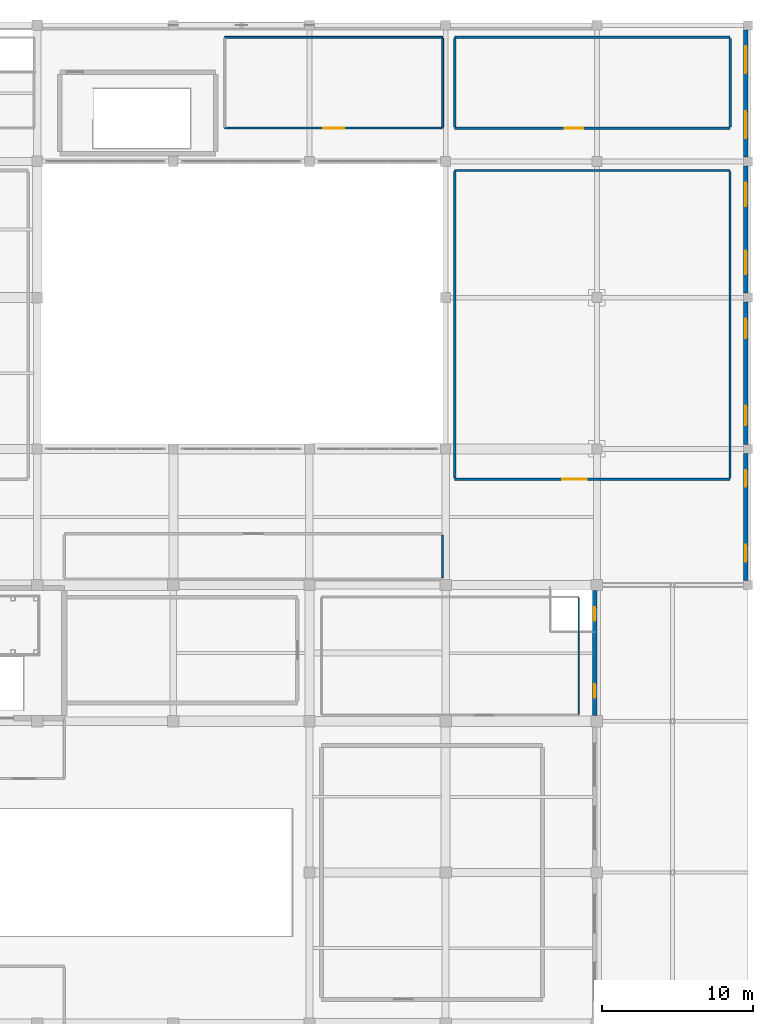
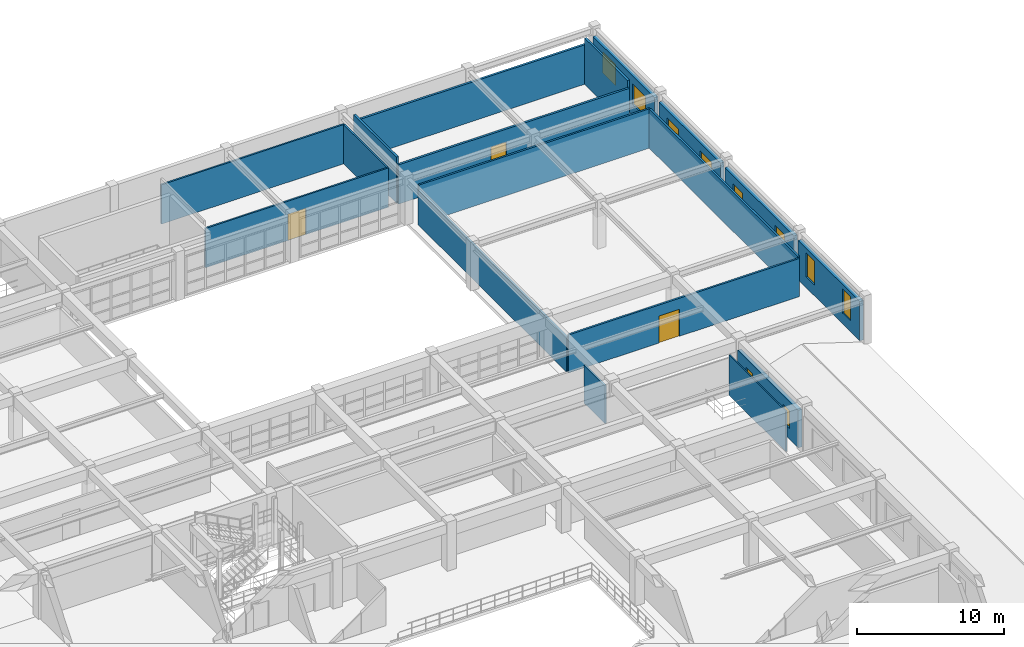
# One storey, part 118 of 130: 18 walls, 10 windows, 3 doors, 13 openings.
"""IFC4 building model written with IfcOpenShell, lengths in metres."""

from ifc_helpers import new_model, si_unit, direction, frame, frame_2d, origin, place, context, subcontext, project, spatial, rectangle, extrude, material, layer, layer_set, type_object, element, fill, save


model = new_model("IFC4")

# Units and contexts
model_context = context("Model", 3, precision=1e-05, world=origin(), true_north=direction((0.0, 1.0)))
body_context = subcontext(model_context, "Body", "Model", "MODEL_VIEW")
ifc_project = project(units=[si_unit("LENGTHUNIT", "METRE"), si_unit("AREAUNIT", "SQUARE_METRE"), si_unit("VOLUMEUNIT", "CUBIC_METRE"), si_unit("PLANEANGLEUNIT", "RADIAN"), si_unit("MASSUNIT", "GRAM", prefix="KILO")], contexts=[model_context])

# Site, building, storey
site_placement = place(None, origin())
site = spatial("IfcSite", under=ifc_project, at=site_placement, CompositionType="ELEMENT")
building_placement = place(site_placement, origin())
building = spatial("IfcBuilding", under=site, at=building_placement, Name="Miravela Opera House", CompositionType="ELEMENT")
storey_placement = place(building_placement, frame((0.0, 0.0, 9.52001953125)))
storey = spatial("IfcBuildingStorey", under=building, at=storey_placement, Name="L02", CompositionType="ELEMENT", Elevation=9.52001953125)

# Wall, openings, windows
ifc_material_1 = material(Name="Insulated cream lime-stuccoed masonry", Category="masonry")
ifc_layer_1 = layer(ifc_material_1, 0.2900390625)
ifc_layer_set_1 = layer_set([ifc_layer_1])
wall_type_1 = type_object("IfcWallType", Name="ARC-EW-STUCCO-290", PredefinedType="STANDARD", material=ifc_layer_set_1)
wall_1_placement = place(storey_placement, frame((153.85009765625, 66.375, 0.0), z_axis=(0.0, 0.0, 1.0), x_axis=(0.0, 1.0, 0.0)))
wall_1 = element("IfcWall", 1, at=wall_1_placement, inside=storey, type_object=wall_type_1, Name="Spanish Colonial Stucco Facade Wall L02-017", PredefinedType="STANDARD", context=body_context, shape_type="SweptSolid", body=[
    extrude(rectangle(XDim=8.25, YDim=0.2900390625, at=frame_2d((4.125, 0.0))), origin(), (0.0, 0.0, 1.0), 3.139892578125),
])
opening_1_placement = place(wall_1_placement, frame((1.175048828125, 0.0, 0.89990234375)))
opening_1 = element("IfcOpeningElement", 2, at=opening_1_placement, cuts=wall_1, Name="Opening W-21", PredefinedType="OPENING", context=body_context, shape_type="SweptSolid", body=[
    extrude(rectangle(XDim=0.89990234375, YDim=1.5, at=frame_2d((0.449951171875, 0.75))), frame((0.0, 0.155029296875, 0.0), z_axis=(0.0, -1.0, 0.0), x_axis=(1.0, 0.0, 0.0)), (0.0, 0.0, 1.0), 0.31005859375),
])
opening_2_placement = place(wall_1_placement, frame((6.25, 0.0, 0.89990234375)))
opening_2 = element("IfcOpeningElement", 3, at=opening_2_placement, cuts=wall_1, Name="Opening W-21", PredefinedType="OPENING", context=body_context, shape_type="SweptSolid", body=[
    extrude(rectangle(XDim=0.89990234375, YDim=1.5, at=frame_2d((0.449951171875, 0.75))), frame((0.0, 0.155029296875, 0.0), z_axis=(0.0, -1.0, 0.0), x_axis=(1.0, 0.0, 0.0)), (0.0, 0.0, 1.0), 0.31005859375),
])
ifc_material_2 = material(Name="Bronze-anodised aluminium and acoustic low-E glass", Category="aluminium")
window_type_1 = type_object("IfcWindowType", Name="ARC-WIN-21", PartitioningType="SINGLE_PANEL", PredefinedType="WINDOW", material=ifc_material_2)
window_1_placement = place(opening_1_placement, origin())
window_1 = element("IfcWindow", 4, at=window_1_placement, inside=storey, type_object=window_type_1, Name="Window W-21 #057", OverallHeight=1.5, OverallWidth=0.89990234375, PartitioningType="SINGLE_PANEL", PredefinedType="WINDOW", context=body_context, shape_type="SweptSolid", body=[
    extrude(rectangle(XDim=0.89990234375, YDim=1.5, at=frame_2d((0.449951171875, 0.75))), frame((0.0, 0.030029296875, 0.0), z_axis=(0.0, -1.0, 0.0), x_axis=(1.0, 0.0, 0.0)), (0.0, 0.0, 1.0), 0.06005859375),
])
fill(opening_1, window_1)
window_2_placement = place(opening_2_placement, origin())
window_2 = element("IfcWindow", 5, at=window_2_placement, inside=storey, type_object=window_type_1, Name="Window W-21 #058", OverallHeight=1.5, OverallWidth=0.89990234375, PartitioningType="SINGLE_PANEL", PredefinedType="WINDOW", context=body_context, shape_type="SweptSolid", body=[
    extrude(rectangle(XDim=0.89990234375, YDim=1.5, at=frame_2d((0.449951171875, 0.75))), frame((0.0, 0.030029296875, 0.0), z_axis=(0.0, -1.0, 0.0), x_axis=(1.0, 0.0, 0.0)), (0.0, 0.0, 1.0), 0.06005859375),
])
fill(opening_2, window_2)

wall_2_placement = place(storey_placement, frame((163.85009765625, 75.300048828125, 0.0), z_axis=(0.0, 0.0, 1.0), x_axis=(0.0, 1.0, 0.0)))
wall_2 = element("IfcWall", 6, at=wall_2_placement, inside=storey, type_object=wall_type_1, Name="Spanish Colonial Stucco Facade Wall L02-018", PredefinedType="STANDARD", context=body_context, shape_type="SweptSolid", body=[
    extrude(rectangle(XDim=8.39990234375, YDim=0.2900390625, at=frame_2d((4.199951171875, 0.0))), origin(), (0.0, 0.0, 1.0), 3.277099609375),
])
opening_3_placement = place(wall_2_placement, frame((1.25, 0.0, 0.89990234375)))
opening_3 = element("IfcOpeningElement", 7, at=opening_3_placement, cuts=wall_2, Name="Opening W-22", PredefinedType="OPENING", context=body_context, shape_type="SweptSolid", body=[
    extrude(rectangle(XDim=1.10009765625, YDim=2.0, at=frame_2d((0.550048828125, 1.0))), frame((0.0, 0.155029296875, 0.0), z_axis=(0.0, -1.0, 0.0), x_axis=(1.0, 0.0, 0.0)), (0.0, 0.0, 1.0), 0.31005859375),
])
opening_4_placement = place(wall_2_placement, frame((6.199951171875, 0.0, 0.89990234375)))
opening_4 = element("IfcOpeningElement", 8, at=opening_4_placement, cuts=wall_2, Name="Opening W-22", PredefinedType="OPENING", context=body_context, shape_type="SweptSolid", body=[
    extrude(rectangle(XDim=1.10009765625, YDim=2.0, at=frame_2d((0.550048828125, 1.0))), frame((0.0, 0.155029296875, 0.0), z_axis=(0.0, -1.0, 0.0), x_axis=(1.0, 0.0, 0.0)), (0.0, 0.0, 1.0), 0.31005859375),
])
window_type_2 = type_object("IfcWindowType", Name="ARC-WIN-22", PartitioningType="SINGLE_PANEL", PredefinedType="WINDOW", material=ifc_material_2)
window_3_placement = place(opening_3_placement, origin())
window_3 = element("IfcWindow", 9, at=window_3_placement, inside=storey, type_object=window_type_2, Name="Window W-22 #059", OverallHeight=2.0, OverallWidth=1.10009765625, PartitioningType="SINGLE_PANEL", PredefinedType="WINDOW", context=body_context, shape_type="SweptSolid", body=[
    extrude(rectangle(XDim=1.10009765625, YDim=2.0, at=frame_2d((0.550048828125, 1.0))), frame((0.0, 0.030029296875, 0.0), z_axis=(0.0, -1.0, 0.0), x_axis=(1.0, 0.0, 0.0)), (0.0, 0.0, 1.0), 0.06005859375),
])
fill(opening_3, window_3)
window_4_placement = place(opening_4_placement, origin())
window_4 = element("IfcWindow", 10, at=window_4_placement, inside=storey, type_object=window_type_2, Name="Window W-22 #060", OverallHeight=2.0, OverallWidth=1.10009765625, PartitioningType="SINGLE_PANEL", PredefinedType="WINDOW", context=body_context, shape_type="SweptSolid", body=[
    extrude(rectangle(XDim=1.10009765625, YDim=2.0, at=frame_2d((0.550048828125, 1.0))), frame((0.0, 0.030029296875, 0.0), z_axis=(0.0, -1.0, 0.0), x_axis=(1.0, 0.0, 0.0)), (0.0, 0.0, 1.0), 0.06005859375),
])
fill(opening_4, window_4)

wall_3_placement = place(storey_placement, frame((163.85009765625, 84.300048828125, 0.0), z_axis=(0.0, 0.0, 1.0), x_axis=(0.0, 1.0, 0.0)))
wall_3 = element("IfcWall", 11, at=wall_3_placement, inside=storey, type_object=wall_type_1, Name="Spanish Colonial Stucco Facade Wall L02-019", PredefinedType="STANDARD", context=body_context, shape_type="SweptSolid", body=[
    extrude(rectangle(XDim=9.39990234375, YDim=0.2900390625, at=frame_2d((4.699951171875, 0.0))), origin(), (0.0, 0.0, 1.0), 3.277099609375),
])
opening_5_placement = place(wall_3_placement, frame((1.25, 0.0, 0.89990234375)))
opening_5 = element("IfcOpeningElement", 12, at=opening_5_placement, cuts=wall_3, Name="Opening W-30", PredefinedType="OPENING", context=body_context, shape_type="SweptSolid", body=[
    extrude(rectangle(XDim=1.300048828125, YDim=1.719970703125, at=frame_2d((0.64990234375, 0.85986328125))), frame((0.0, 0.155029296875, 0.0), z_axis=(0.0, -1.0, 0.0), x_axis=(1.0, 0.0, 0.0)), (0.0, 0.0, 1.0), 0.31005859375),
])
opening_6_placement = place(wall_3_placement, frame((7.0, 0.0, 0.89990234375)))
opening_6 = element("IfcOpeningElement", 13, at=opening_6_placement, cuts=wall_3, Name="Opening W-30", PredefinedType="OPENING", context=body_context, shape_type="SweptSolid", body=[
    extrude(rectangle(XDim=1.300048828125, YDim=1.719970703125, at=frame_2d((0.64990234375, 0.85986328125))), frame((0.0, 0.155029296875, 0.0), z_axis=(0.0, -1.0, 0.0), x_axis=(1.0, 0.0, 0.0)), (0.0, 0.0, 1.0), 0.31005859375),
])
window_type_3 = type_object("IfcWindowType", Name="ARC-WIN-30", PartitioningType="SINGLE_PANEL", PredefinedType="WINDOW", material=ifc_material_2)
window_5_placement = place(opening_5_placement, origin())
window_5 = element("IfcWindow", 14, at=window_5_placement, inside=storey, type_object=window_type_3, Name="Window W-30 #061", OverallHeight=1.719970703125, OverallWidth=1.300048828125, PartitioningType="SINGLE_PANEL", PredefinedType="WINDOW", context=body_context, shape_type="SweptSolid", body=[
    extrude(rectangle(XDim=1.300048828125, YDim=1.719970703125, at=frame_2d((0.64990234375, 0.85986328125))), frame((0.0, 0.030029296875, 0.0), z_axis=(0.0, -1.0, 0.0), x_axis=(1.0, 0.0, 0.0)), (0.0, 0.0, 1.0), 0.06005859375),
])
fill(opening_5, window_5)
window_6_placement = place(opening_6_placement, origin())
window_6 = element("IfcWindow", 15, at=window_6_placement, inside=storey, type_object=window_type_3, Name="Window W-30 #062", OverallHeight=1.719970703125, OverallWidth=1.300048828125, PartitioningType="SINGLE_PANEL", PredefinedType="WINDOW", context=body_context, shape_type="SweptSolid", body=[
    extrude(rectangle(XDim=1.300048828125, YDim=1.719970703125, at=frame_2d((0.64990234375, 0.85986328125))), frame((0.0, 0.030029296875, 0.0), z_axis=(0.0, -1.0, 0.0), x_axis=(1.0, 0.0, 0.0)), (0.0, 0.0, 1.0), 0.06005859375),
])
fill(opening_6, window_6)

wall_4_placement = place(storey_placement, frame((163.85009765625, 94.300048828125, 0.0), z_axis=(0.0, 0.0, 1.0), x_axis=(0.0, 1.0, 0.0)))
wall_4 = element("IfcWall", 16, at=wall_4_placement, inside=storey, type_object=wall_type_1, Name="Spanish Colonial Stucco Facade Wall L02-020", PredefinedType="STANDARD", context=body_context, shape_type="SweptSolid", body=[
    extrude(rectangle(XDim=8.39990234375, YDim=0.2900390625, at=frame_2d((4.199951171875, 0.0))), origin(), (0.0, 0.0, 1.0), 3.277099609375),
])
opening_7_placement = place(wall_4_placement, frame((1.25, 0.0, 0.89990234375)))
opening_7 = element("IfcOpeningElement", 17, at=opening_7_placement, cuts=wall_4, Name="Opening W-31", PredefinedType="OPENING", context=body_context, shape_type="SweptSolid", body=[
    extrude(rectangle(XDim=1.56005859375, YDim=1.719970703125, at=frame_2d((0.780029296875, 0.85986328125))), frame((0.0, 0.155029296875, 0.0), z_axis=(0.0, -1.0, 0.0), x_axis=(1.0, 0.0, 0.0)), (0.0, 0.0, 1.0), 0.31005859375),
])
opening_8_placement = place(wall_4_placement, frame((5.739990234375, 0.0, 0.89990234375)))
opening_8 = element("IfcOpeningElement", 18, at=opening_8_placement, cuts=wall_4, Name="Opening W-31", PredefinedType="OPENING", context=body_context, shape_type="SweptSolid", body=[
    extrude(rectangle(XDim=1.56005859375, YDim=1.719970703125, at=frame_2d((0.780029296875, 0.85986328125))), frame((0.0, 0.155029296875, 0.0), z_axis=(0.0, -1.0, 0.0), x_axis=(1.0, 0.0, 0.0)), (0.0, 0.0, 1.0), 0.31005859375),
])
window_type_4 = type_object("IfcWindowType", Name="ARC-WIN-31", PartitioningType="DOUBLE_PANEL_VERTICAL", PredefinedType="WINDOW", material=ifc_material_2)
window_7_placement = place(opening_7_placement, origin())
window_7 = element("IfcWindow", 19, at=window_7_placement, inside=storey, type_object=window_type_4, Name="Window W-31 #063", OverallHeight=1.719970703125, OverallWidth=1.56005859375, PartitioningType="DOUBLE_PANEL_VERTICAL", PredefinedType="WINDOW", context=body_context, shape_type="SweptSolid", body=[
    extrude(rectangle(XDim=1.56005859375, YDim=1.719970703125, at=frame_2d((0.780029296875, 0.85986328125))), frame((0.0, 0.030029296875, 0.0), z_axis=(0.0, -1.0, 0.0), x_axis=(1.0, 0.0, 0.0)), (0.0, 0.0, 1.0), 0.06005859375),
])
fill(opening_7, window_7)
window_8_placement = place(opening_8_placement, origin())
window_8 = element("IfcWindow", 20, at=window_8_placement, inside=storey, type_object=window_type_4, Name="Window W-31 #064", OverallHeight=1.719970703125, OverallWidth=1.56005859375, PartitioningType="DOUBLE_PANEL_VERTICAL", PredefinedType="WINDOW", context=body_context, shape_type="SweptSolid", body=[
    extrude(rectangle(XDim=1.56005859375, YDim=1.719970703125, at=frame_2d((0.780029296875, 0.85986328125))), frame((0.0, 0.030029296875, 0.0), z_axis=(0.0, -1.0, 0.0), x_axis=(1.0, 0.0, 0.0)), (0.0, 0.0, 1.0), 0.06005859375),
])
fill(opening_8, window_8)

wall_5_placement = place(storey_placement, frame((163.85009765625, 103.300048828125, 0.0), z_axis=(0.0, 0.0, 1.0), x_axis=(0.0, 1.0, 0.0)))
wall_5 = element("IfcWall", 21, at=wall_5_placement, inside=storey, type_object=wall_type_1, Name="Spanish Colonial Stucco Facade Wall L02-021", PredefinedType="STANDARD", context=body_context, shape_type="SweptSolid", body=[
    extrude(rectangle(XDim=8.39990234375, YDim=0.2900390625, at=frame_2d((4.199951171875, 0.0))), origin(), (0.0, 0.0, 1.0), 3.277099609375),
])
opening_9_placement = place(wall_5_placement, frame((1.25, 0.0, 0.89990234375)))
opening_9 = element("IfcOpeningElement", 22, at=opening_9_placement, cuts=wall_5, Name="Opening W-32", PredefinedType="OPENING", context=body_context, shape_type="SweptSolid", body=[
    extrude(rectangle(XDim=1.760009765625, YDim=1.719970703125, at=frame_2d((0.8798828125, 0.85986328125))), frame((0.0, 0.155029296875, 0.0), z_axis=(0.0, -1.0, 0.0), x_axis=(1.0, 0.0, 0.0)), (0.0, 0.0, 1.0), 0.31005859375),
])
opening_10_placement = place(wall_5_placement, frame((5.5400390625, 0.0, 0.89990234375)))
opening_10 = element("IfcOpeningElement", 23, at=opening_10_placement, cuts=wall_5, Name="Opening W-32", PredefinedType="OPENING", context=body_context, shape_type="SweptSolid", body=[
    extrude(rectangle(XDim=1.760009765625, YDim=1.719970703125, at=frame_2d((0.8798828125, 0.85986328125))), frame((0.0, 0.155029296875, 0.0), z_axis=(0.0, -1.0, 0.0), x_axis=(1.0, 0.0, 0.0)), (0.0, 0.0, 1.0), 0.31005859375),
])
window_type_5 = type_object("IfcWindowType", Name="ARC-WIN-32", PartitioningType="DOUBLE_PANEL_VERTICAL", PredefinedType="WINDOW", material=ifc_material_2)
window_9_placement = place(opening_9_placement, origin())
window_9 = element("IfcWindow", 24, at=window_9_placement, inside=storey, type_object=window_type_5, Name="Window W-32 #065", OverallHeight=1.719970703125, OverallWidth=1.760009765625, PartitioningType="DOUBLE_PANEL_VERTICAL", PredefinedType="WINDOW", context=body_context, shape_type="SweptSolid", body=[
    extrude(rectangle(XDim=1.760009765625, YDim=1.719970703125, at=frame_2d((0.8798828125, 0.85986328125))), frame((0.0, 0.030029296875, 0.0), z_axis=(0.0, -1.0, 0.0), x_axis=(1.0, 0.0, 0.0)), (0.0, 0.0, 1.0), 0.06005859375),
])
fill(opening_9, window_9)
window_10_placement = place(opening_10_placement, origin())
window_10 = element("IfcWindow", 25, at=window_10_placement, inside=storey, type_object=window_type_5, Name="Window W-32 #066", OverallHeight=1.719970703125, OverallWidth=1.760009765625, PartitioningType="DOUBLE_PANEL_VERTICAL", PredefinedType="WINDOW", context=body_context, shape_type="SweptSolid", body=[
    extrude(rectangle(XDim=1.760009765625, YDim=1.719970703125, at=frame_2d((0.8798828125, 0.85986328125))), frame((0.0, 0.030029296875, 0.0), z_axis=(0.0, -1.0, 0.0), x_axis=(1.0, 0.0, 0.0)), (0.0, 0.0, 1.0), 0.06005859375),
])
fill(opening_10, window_10)

# Wall
ifc_material_3 = material(Name="Acoustic metal-stud gypsum partition")
ifc_layer_2 = layer(ifc_material_3, 0.090087890625)
ifc_layer_set_2 = layer_set([ifc_layer_2])
wall_type_2 = type_object("IfcWallType", Name="ARC-PT-090", PredefinedType="PARTITIONING", material=ifc_layer_set_2)
wall_6_placement = place(storey_placement, frame((152.800048828125, 66.445068359375, 0.0), z_axis=(0.0, 0.0, 1.0), x_axis=(0.0, 1.0, 0.0)))
element("IfcWall", 26, at=wall_6_placement, inside=storey, type_object=wall_type_2, Name="Stage Sound Mixing and Foley Studio Partition East", PredefinedType="PARTITIONING", context=body_context, shape_type="SweptSolid", body=[
    extrude(rectangle(XDim=7.7099609375, YDim=0.090087890625, at=frame_2d((3.85498046875, 0.0))), origin(), (0.0, 0.0, 1.0), 3.361083984375),
])

# Wall, opening, door
ifc_material_4 = material(Name="Fire-rated acoustic gypsum partition")
ifc_layer_3 = layer(ifc_material_4, 0.1298828125)
ifc_layer_set_3 = layer_set([ifc_layer_3])
wall_type_3 = type_object("IfcWallType", Name="ARC-PT-130", PredefinedType="PARTITIONING", material=ifc_layer_set_3)
wall_7_placement = place(storey_placement, frame((129.39990234375, 105.199951171875, 0.0), z_axis=(0.0, 0.0, 1.0), x_axis=(1.0, 0.0, 0.0)))
wall_7 = element("IfcWall", 27, at=wall_7_placement, inside=storey, type_object=wall_type_3, Name="Youth Opera Academy Studio Partition South", PredefinedType="PARTITIONING", context=body_context, shape_type="SweptSolid", body=[
    extrude(rectangle(XDim=14.400146484375, YDim=0.1298828125, at=frame_2d((7.2001953125, 0.0))), origin(), (0.0, 0.0, 1.0), 3.277099609375),
])
opening_11_placement = place(wall_7_placement, frame((6.5, 0.0, 0.0)))
opening_11 = element("IfcOpeningElement", 28, at=opening_11_placement, cuts=wall_7, Name="Opening ID-05", PredefinedType="OPENING", context=body_context, shape_type="SweptSolid", body=[
    extrude(rectangle(XDim=1.39990234375, YDim=2.199951171875, at=frame_2d((0.699951171875, 1.10009765625))), frame((0.0, 0.074951171875, 0.0), z_axis=(0.0, -1.0, 0.0), x_axis=(1.0, 0.0, 0.0)), (0.0, 0.0, 1.0), 0.14990234375),
])
ifc_material_5 = material(Name="Double-leaf glazed mahogany salon door")
door_type_1 = type_object("IfcDoorType", Name="ARC-DR-1400X2200", OperationType="NOTDEFINED", PredefinedType="DOOR", material=ifc_material_5)
door_1_placement = place(opening_11_placement, origin())
door_1 = element("IfcDoor", 29, at=door_1_placement, inside=storey, type_object=door_type_1, Name="Youth Opera Academy Studio Entry Door IDR-L02-0238", OperationType="DOUBLE_DOOR_SINGLE_SWING", OverallHeight=2.199951171875, OverallWidth=1.39990234375, PredefinedType="DOOR", context=body_context, shape_type="SweptSolid", body=[
    extrude(rectangle(XDim=1.39990234375, YDim=2.199951171875, at=frame_2d((0.699951171875, 1.10009765625))), frame((0.0, 0.02490234375, 0.0), z_axis=(0.0, -1.0, 0.0), x_axis=(1.0, 0.0, 0.0)), (0.0, 0.0, 1.0), 0.050048828125),
])
fill(opening_11, door_1)

# Walls
wall_8_placement = place(storey_placement, frame((129.39990234375, 111.199951171875, 0.0), z_axis=(0.0, 0.0, 1.0), x_axis=(1.0, 0.0, 0.0)))
element("IfcWall", 30, at=wall_8_placement, inside=storey, type_object=wall_type_3, Name="Youth Opera Academy Studio Partition North", PredefinedType="PARTITIONING", context=body_context, shape_type="SweptSolid", body=[
    extrude(rectangle(XDim=14.400146484375, YDim=0.1298828125, at=frame_2d((7.2001953125, 0.0))), origin(), (0.0, 0.0, 1.0), 3.277099609375),
])
wall_9_placement = place(storey_placement, frame((143.800048828125, 105.264892578125, 0.0), z_axis=(0.0, 0.0, 1.0), x_axis=(0.0, 1.0, 0.0)))
element("IfcWall", 31, at=wall_9_placement, inside=storey, type_object=wall_type_3, Name="Youth Opera Academy Studio Partition East", PredefinedType="PARTITIONING", context=body_context, shape_type="SweptSolid", body=[
    extrude(rectangle(XDim=5.8701171875, YDim=0.1298828125, at=frame_2d((2.93505859375, 0.0))), origin(), (0.0, 0.0, 1.0), 3.277099609375),
])

# Wall, opening, door
ifc_material_6 = material(Name="Studio double-stud acoustic partition")
ifc_layer_4 = layer(ifc_material_6, 0.14990234375)
ifc_layer_set_4 = layer_set([ifc_layer_4])
wall_type_4 = type_object("IfcWallType", Name="ARC-PT-145", PredefinedType="PARTITIONING", material=ifc_layer_set_4)
wall_10_placement = place(storey_placement, frame((144.60009765625, 82.0, 0.0), z_axis=(0.0, 0.0, 1.0), x_axis=(1.0, 0.0, 0.0)))
wall_10 = element("IfcWall", 32, at=wall_10_placement, inside=storey, type_object=wall_type_4, Name="Choir Rehearsal Hall Partition South", PredefinedType="PARTITIONING", context=body_context, shape_type="SweptSolid", body=[
    extrude(rectangle(XDim=18.199951171875, YDim=0.14990234375, at=frame_2d((9.10009765625, 0.0))), origin(), (0.0, 0.0, 1.0), 3.169921875),
])
opening_12_placement = place(wall_10_placement, frame((7.117919921875, 0.0, 0.0)))
opening_12 = element("IfcOpeningElement", 33, at=opening_12_placement, cuts=wall_10, Name="Opening FD-04", PredefinedType="OPENING", context=body_context, shape_type="SweptSolid", body=[
    extrude(rectangle(XDim=1.60009765625, YDim=2.25, at=frame_2d((0.800048828125, 1.125))), frame((0.0, 0.0849609375, 0.0), z_axis=(0.0, -1.0, 0.0), x_axis=(1.0, 0.0, 0.0)), (0.0, 0.0, 1.0), 0.169921875),
])
ifc_material_7 = material(Name="Fire-rated rehearsal/vomitory double door")
door_type_2 = type_object("IfcDoorType", Name="ARC-FD-1600X2250", OperationType="NOTDEFINED", PredefinedType="DOOR", material=ifc_material_7)
door_2_placement = place(opening_12_placement, frame((1.60009765625, 0.0, 0.0), z_axis=(0.0, 0.0, 1.0), x_axis=(-1.0, 0.0, 0.0)))
door_2 = element("IfcDoor", 34, at=door_2_placement, inside=storey, type_object=door_type_2, Name="Choir Rehearsal Hall Entry Door IDR-L02-0230", OperationType="DOUBLE_DOOR_SINGLE_SWING", OverallHeight=2.25, OverallWidth=1.60009765625, PredefinedType="DOOR", context=body_context, shape_type="SweptSolid", body=[
    extrude(rectangle(XDim=1.60009765625, YDim=2.25, at=frame_2d((0.800048828125, 1.125))), frame((0.0, 0.02490234375, 0.0), z_axis=(0.0, -1.0, 0.0), x_axis=(1.0, 0.0, 0.0)), (0.0, 0.0, 1.0), 0.050048828125),
])
fill(opening_12, door_2)

# Walls
wall_11_placement = place(storey_placement, frame((144.60009765625, 102.39990234375, 0.0), z_axis=(0.0, 0.0, 1.0), x_axis=(1.0, 0.0, 0.0)))
element("IfcWall", 35, at=wall_11_placement, inside=storey, type_object=wall_type_4, Name="Choir Rehearsal Hall Partition North", PredefinedType="PARTITIONING", context=body_context, shape_type="SweptSolid", body=[
    extrude(rectangle(XDim=18.199951171875, YDim=0.14990234375, at=frame_2d((9.10009765625, 0.0))), origin(), (0.0, 0.0, 1.0), 3.277099609375),
])
wall_12_placement = place(storey_placement, frame((144.60009765625, 82.074951171875, 0.0), z_axis=(0.0, 0.0, 1.0), x_axis=(0.0, 1.0, 0.0)))
element("IfcWall", 36, at=wall_12_placement, inside=storey, type_object=wall_type_4, Name="Choir Rehearsal Hall Partition West", PredefinedType="PARTITIONING", context=body_context, shape_type="SweptSolid", body=[
    extrude(rectangle(XDim=20.25, YDim=0.14990234375, at=frame_2d((10.125, 0.0))), origin(), (0.0, 0.0, 1.0), 2.919921875),
])
wall_13_placement = place(storey_placement, frame((162.800048828125, 82.074951171875, 0.0), z_axis=(0.0, 0.0, 1.0), x_axis=(0.0, 1.0, 0.0)))
element("IfcWall", 37, at=wall_13_placement, inside=storey, type_object=wall_type_4, Name="Choir Rehearsal Hall Partition East", PredefinedType="PARTITIONING", context=body_context, shape_type="SweptSolid", body=[
    extrude(rectangle(XDim=20.25, YDim=0.14990234375, at=frame_2d((10.125, 0.0))), origin(), (0.0, 0.0, 1.0), 3.277099609375),
])
wall_14_placement = place(storey_placement, frame((143.800048828125, 75.47509765625, 0.0), z_axis=(0.0, 0.0, 1.0), x_axis=(0.0, 1.0, 0.0)))
element("IfcWall", 38, at=wall_14_placement, inside=storey, type_object=wall_type_4, Name="Choir Repertoire Preparation Studio Partition East", PredefinedType="PARTITIONING", context=body_context, shape_type="SweptSolid", body=[
    extrude(rectangle(XDim=2.849853515625, YDim=0.14990234375, at=frame_2d((1.4248046875, 0.0))), origin(), (0.0, 0.0, 1.0), 3.139892578125),
])

# Wall, opening, door
ifc_material_8 = material(Name="Rehearsal isolated acoustic partition")
ifc_layer_5 = layer(ifc_material_8, 0.169921875)
ifc_layer_set_5 = layer_set([ifc_layer_5])
wall_type_5 = type_object("IfcWallType", Name="ARC-PT-170", PredefinedType="PARTITIONING", material=ifc_layer_set_5)
wall_15_placement = place(storey_placement, frame((144.60009765625, 105.199951171875, 0.0), z_axis=(0.0, 0.0, 1.0), x_axis=(1.0, 0.0, 0.0)))
wall_15 = element("IfcWall", 39, at=wall_15_placement, inside=storey, type_object=wall_type_5, Name="Historical Opera Libretto Vault Partition South", PredefinedType="PARTITIONING", context=body_context, shape_type="SweptSolid", body=[
    extrude(rectangle(XDim=18.199951171875, YDim=0.169921875, at=frame_2d((9.10009765625, 0.0))), origin(), (0.0, 0.0, 1.0), 3.277099609375),
])
opening_13_placement = place(wall_15_placement, frame((7.2880859375, 0.0, 0.0)))
opening_13 = element("IfcOpeningElement", 40, at=opening_13_placement, cuts=wall_15, Name="Opening ID-04", PredefinedType="OPENING", context=body_context, shape_type="SweptSolid", body=[
    extrude(rectangle(XDim=1.199951171875, YDim=2.199951171875, at=frame_2d((0.60009765625, 1.10009765625))), frame((0.0, 0.094970703125, 0.0), z_axis=(0.0, -1.0, 0.0), x_axis=(1.0, 0.0, 0.0)), (0.0, 0.0, 1.0), 0.18994140625),
])
ifc_material_9 = material(Name="Wide acoustic ensemble door")
door_type_3 = type_object("IfcDoorType", Name="ARC-DR-1200X2200", OperationType="NOTDEFINED", PredefinedType="DOOR", material=ifc_material_9)
door_3_placement = place(opening_13_placement, origin())
door_3 = element("IfcDoor", 41, at=door_3_placement, inside=storey, type_object=door_type_3, Name="Historical Opera Libretto Vault Entry Door IDR-L02-0258", OperationType="SINGLE_SWING_RIGHT", OverallHeight=2.199951171875, OverallWidth=1.199951171875, PredefinedType="DOOR", context=body_context, shape_type="SweptSolid", body=[
    extrude(rectangle(XDim=1.199951171875, YDim=2.199951171875, at=frame_2d((0.60009765625, 1.10009765625))), frame((0.0, 0.02490234375, 0.0), z_axis=(0.0, -1.0, 0.0), x_axis=(1.0, 0.0, 0.0)), (0.0, 0.0, 1.0), 0.050048828125),
])
fill(opening_13, door_3)

# Walls
wall_16_placement = place(storey_placement, frame((144.60009765625, 111.199951171875, 0.0), z_axis=(0.0, 0.0, 1.0), x_axis=(1.0, 0.0, 0.0)))
element("IfcWall", 42, at=wall_16_placement, inside=storey, type_object=wall_type_5, Name="Historical Opera Libretto Vault Partition North", PredefinedType="PARTITIONING", context=body_context, shape_type="SweptSolid", body=[
    extrude(rectangle(XDim=18.199951171875, YDim=0.169921875, at=frame_2d((9.10009765625, 0.0))), origin(), (0.0, 0.0, 1.0), 3.277099609375),
])
for number, where, z_axis, x_axis, name in (
    (43, (144.60009765625, 105.284912109375, 0.0), (0.0, 0.0, 1.0), (0.0, 1.0, 0.0), "Historical Opera Libretto Vault Partition West"),
    (44, (162.800048828125, 105.284912109375, 0.0), (0.0, 0.0, 1.0), (0.0, 1.0, 0.0), "Historical Opera Libretto Vault Partition East"),
):
    element("IfcWall", number, at=place(storey_placement, frame(where, z_axis=z_axis, x_axis=x_axis)), inside=storey, type_object=wall_type_5, Name=name, PredefinedType="PARTITIONING", context=body_context, shape_type="SweptSolid", body=[
        extrude(rectangle(XDim=5.830078125, YDim=0.169921875, at=frame_2d((2.9150390625, 0.0))), origin(), (0.0, 0.0, 1.0), 3.840087890625),
    ])

save(model, "model.ifc")
